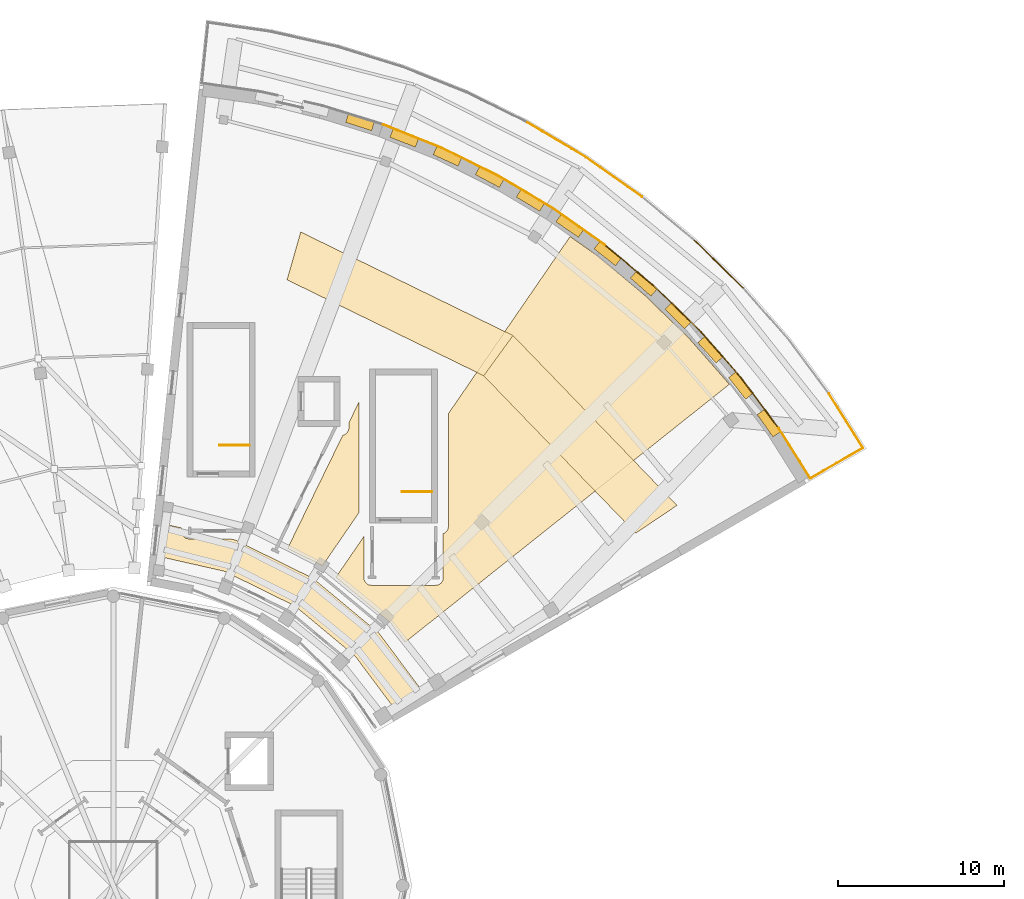
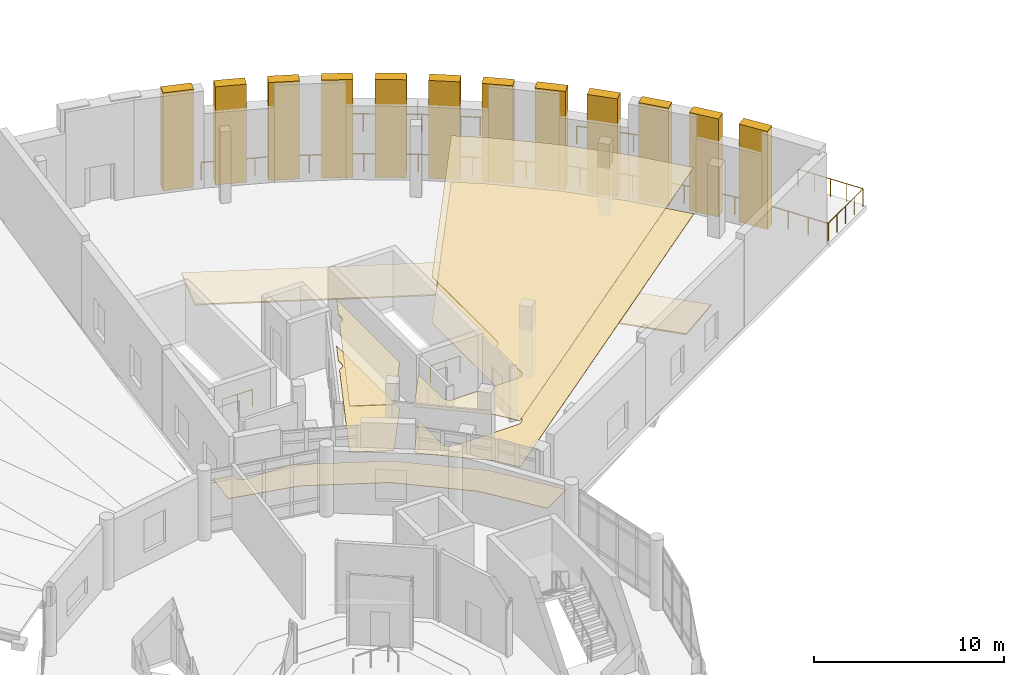
# One storey, part 26 of 27: 19 coverings, 16 railings.
"""IFC4 building model written with IfcOpenShell, lengths in metres."""

import ifcopenshell
import ifcopenshell.guid

model = None  # the IFC model being written
_history = None  # IfcOwnerHistory: only IFC2X3 demands one
_inside = {}  # id of a spatial element -> (the spatial element, [elements in it])
_under = {}  # id of a project, library or spatial element -> (it, [spatial elements below it])
_declared = {}  # id of a project -> (the project, [libraries it declares])
_typed = {}  # id of a type object -> (the type object, [elements of that type])
_made_of = {}  # id of a material, layer set ... -> (it, [elements and type objects made of it])


def new_model(schema):
    """Start an empty IFC model of exactly this schema.

    Asked for "IFC4X3", IfcOpenShell would pick the latest addendum, in which some entities
    have other attributes; the version numbers below select the first issue.
    IFC2X3 requires an IfcOwnerHistory on every rooted entity: one is made here for all.
    """
    global model, _history
    if schema == "IFC4X3":
        model = ifcopenshell.file(schema_version=(4, 3, 0, 0))
    else:
        model = ifcopenshell.file(schema=schema)
    _inside.clear()
    _under.clear()
    _declared.clear()
    _typed.clear()
    _made_of.clear()
    _history = None
    if model.schema == "IFC2X3":
        org = make("IfcOrganization", Name="unknown")
        user = make(
            "IfcPersonAndOrganization",
            ThePerson=make("IfcPerson", FamilyName="unknown"),
            TheOrganization=org,
        )
        app = make(
            "IfcApplication",
            ApplicationDeveloper=org,
            Version="unknown",
            ApplicationFullName="unknown",
            ApplicationIdentifier="unknown",
        )
        _history = make(
            "IfcOwnerHistory",
            OwningUser=user,
            OwningApplication=app,
            ChangeAction="ADDED",
            CreationDate=0,
        )
    return model


def make(cls, **values):
    """One entity of the class cls with the attributes given. An attribute that is None is left unset."""
    return model.create_entity(
        cls, **{name: value for name, value in values.items() if value is not None}
    )


def rooted(cls, **values):
    """An entity with a GlobalId (a new one), such as an element, a storey or a relation."""
    return make(cls, GlobalId=ifcopenshell.guid.new(), OwnerHistory=_history, **values)


def si_unit(unit_type, name, prefix=None):
    """IfcSIUnit, for example si_unit("LENGTHUNIT", "METRE", prefix="MILLI")."""
    return make("IfcSIUnit", UnitType=unit_type, Prefix=prefix, Name=name)


def assignment(units):
    """IfcUnitAssignment: the units of a project."""
    return None if units is None else make("IfcUnitAssignment", Units=units)


def point(xyz):
    """IfcCartesianPoint."""
    return None if xyz is None else make("IfcCartesianPoint", Coordinates=xyz)


def direction(xyz):
    """IfcDirection."""
    return None if xyz is None else make("IfcDirection", DirectionRatios=xyz)


def frame(location, z_axis=None, x_axis=None):
    """IfcAxis2Placement3D, a coordinate frame: its origin and axes. An axis left out is left unset."""
    return make(
        "IfcAxis2Placement3D",
        Location=point(location),
        Axis=direction(z_axis),
        RefDirection=direction(x_axis),
    )


def frame_2d(location, x_axis=None):
    """IfcAxis2Placement2D, a coordinate frame in the plane: its origin and x axis."""
    return make(
        "IfcAxis2Placement2D", Location=point(location), RefDirection=direction(x_axis)
    )


def origin():
    """The frame at (0, 0, 0) with its axes left unset."""
    return frame((0.0, 0.0, 0.0))


def origin_2d():
    """The frame at (0, 0) in the plane with its x axis left unset."""
    return frame_2d((0.0, 0.0))


def place(relative_to, where):
    """IfcLocalPlacement: puts the frame where relative to a parent placement (None: the world)."""
    return make(
        "IfcLocalPlacement", PlacementRelTo=relative_to, RelativePlacement=where
    )


def context(
    kind, dimensions, precision=None, world=None, true_north=None, identifier=None
):
    """IfcGeometricRepresentationContext, for example the 3D "Model" context."""
    return make(
        "IfcGeometricRepresentationContext",
        ContextIdentifier=identifier,
        ContextType=kind,
        CoordinateSpaceDimension=dimensions,
        Precision=precision,
        WorldCoordinateSystem=world,
        TrueNorth=true_north,
    )


def subcontext(parent, identifier, kind, view, scale=None):
    """IfcGeometricRepresentationSubContext, for example "Body" below "Model"."""
    return make(
        "IfcGeometricRepresentationSubContext",
        ContextIdentifier=identifier,
        ContextType=kind,
        ParentContext=parent,
        TargetScale=scale,
        TargetView=view,
    )


def project(units=None, contexts=None):
    """IfcProject with its units and contexts."""
    return rooted(
        "IfcProject",
        Name="project",
        RepresentationContexts=contexts,
        UnitsInContext=assignment(units),
    )


def spatial(cls, under=None, at=None, **own):
    """A site, building, storey or space (cls), placed at a placement, below another one or the project."""
    s = rooted(cls, ObjectPlacement=at, **own)
    if under is not None:
        _under.setdefault(under.id(), (under, []))[1].append(s)
    return s


def polyline(points):
    """IfcPolyline through the points."""
    return make("IfcPolyline", Points=[point(p) for p in points])


def profile(cls, at=None, kind="AREA", **sizes):
    """A parametric profile (cls). Its sizes go by their IFC names, for example OverallWidth=200.0."""
    return make(cls, ProfileType=kind, Position=at, **sizes)


def rectangle(**sizes):
    """IfcRectangleProfileDef."""
    return profile("IfcRectangleProfileDef", **sizes)


def circle(**sizes):
    """IfcCircleProfileDef."""
    return profile("IfcCircleProfileDef", **sizes)


def outline(outer, holes=None, kind="AREA"):
    """IfcArbitraryClosedProfileDef: a profile drawn as a closed curve; with holes, ...WithVoids."""
    if holes is None:
        return make("IfcArbitraryClosedProfileDef", ProfileType=kind, OuterCurve=outer)
    return make(
        "IfcArbitraryProfileDefWithVoids",
        ProfileType=kind,
        OuterCurve=outer,
        InnerCurves=holes,
    )


def extrude(swept, where, along, depth):
    """IfcExtrudedAreaSolid: the profile swept, set in the frame where, extruded along a direction by depth."""
    return make(
        "IfcExtrudedAreaSolid",
        SweptArea=swept,
        Position=where,
        ExtrudedDirection=direction(along),
        Depth=depth,
    )


def shape(context_of_items, identifier, shape_type, items):
    """IfcShapeRepresentation: the items that make up one representation, for example the "Body"."""
    return make(
        "IfcShapeRepresentation",
        ContextOfItems=context_of_items,
        RepresentationIdentifier=identifier,
        RepresentationType=shape_type,
        Items=items,
    )


def material(Name=None, Category=None):
    """IfcMaterial."""
    return make("IfcMaterial", Name=Name, Category=Category)


def layer(
    of_material, thickness, ventilated=None, Name=None, Category=None, Priority=None
):
    """IfcMaterialLayer: one layer of a wall or slab, of a material (None: an air gap)."""
    return make(
        "IfcMaterialLayer",
        Material=of_material,
        LayerThickness=thickness,
        IsVentilated=ventilated,
        Name=Name,
        Category=Category,
        Priority=Priority,
    )


def layer_set(layers, Name=None):
    """IfcMaterialLayerSet."""
    return make("IfcMaterialLayerSet", MaterialLayers=layers, LayerSetName=Name)


def made_of(thing, what):
    """Note that an element or type object is made of a material, layer set ...; save() writes the relation."""
    if what is not None:
        _made_of.setdefault(what.id(), (what, []))[1].append(thing)
    return thing


def type_object(cls, material=None, **own):
    """A type object (cls), such as IfcWallType, which elements share."""
    return made_of(rooted(cls, **own), material)


def element(
    cls,
    number,
    at=None,
    inside=None,
    cuts=None,
    type_object=None,
    material=None,
    context=None,
    identifier="Body",
    shape_type=None,
    held_by="IfcProductDefinitionShape",
    body=None,
    shapes=None,
    **own,
):
    """One element of the class cls, such as IfcWall. Its Tag is "e" and its number.

    at: its placement. inside: the storey or other place that contains it. cuts: it is an
    opening in that element (IfcRelVoidsElement). A single representation is given by context,
    identifier, shape_type and body (its items); several are given by shapes. held_by: the class
    of the entity that holds the representations. save() writes the other relations.
    """
    e = rooted(cls, Tag="e%d" % number, ObjectPlacement=at, **own)
    if body is not None:
        shapes = [shape(context, identifier, shape_type, body)]
    if shapes is not None:
        e.Representation = make(held_by, Representations=shapes)
    if inside is not None:
        _inside.setdefault(inside.id(), (inside, []))[1].append(e)
    if cuts is not None:
        rooted(
            "IfcRelVoidsElement", RelatingBuildingElement=cuts, RelatedOpeningElement=e
        )
    if type_object is not None:
        _typed.setdefault(type_object.id(), (type_object, []))[1].append(e)
    return made_of(e, material)


def aggregate(whole, parts):
    """IfcRelAggregates: a whole, such as a stair, and the parts it consists of."""
    return rooted("IfcRelAggregates", RelatingObject=whole, RelatedObjects=parts)


def save(model, path):
    """Write the relations noted so far, then the file.

    IfcRelAggregates (storeys below a building ...), IfcRelContainedInSpatialStructure (elements
    in a storey), IfcRelDefinesByType, IfcRelAssociatesMaterial and IfcRelDeclares: one each for
    every whole, place, type object, material and project.
    """
    for whole, parts in _under.values():
        aggregate(whole, parts)
    for where, things in _inside.values():
        rooted(
            "IfcRelContainedInSpatialStructure",
            RelatedElements=things,
            RelatingStructure=where,
        )
    for kind, things in _typed.values():
        rooted("IfcRelDefinesByType", RelatedObjects=things, RelatingType=kind)
    for what, things in _made_of.values():
        rooted("IfcRelAssociatesMaterial", RelatedObjects=things, RelatingMaterial=what)
    for by, libraries in _declared.values():
        rooted("IfcRelDeclares", RelatingContext=by, RelatedDefinitions=libraries)
    model.write(path)


model = new_model("IFC4")

# Units and contexts
model_context = context("Model", 3, precision=1e-05, world=origin(), true_north=direction((0.0, 1.0)))
body_context = subcontext(model_context, "Body", "Model", "MODEL_VIEW")
ifc_project = project(units=[si_unit("LENGTHUNIT", "METRE"), si_unit("AREAUNIT", "SQUARE_METRE"), si_unit("VOLUMEUNIT", "CUBIC_METRE"), si_unit("PLANEANGLEUNIT", "RADIAN"), si_unit("MASSUNIT", "GRAM", prefix="KILO")], contexts=[model_context])

# Site, building, storey
site_placement = place(None, origin())
site = spatial("IfcSite", under=ifc_project, at=site_placement, CompositionType="ELEMENT")
building_placement = place(site_placement, origin())
building = spatial("IfcBuilding", under=site, at=building_placement, Name="Soyqirgoq Riverine Aquarium", CompositionType="ELEMENT")
storey_placement = place(building_placement, frame((0.0, 0.0, 19.800048828125)))
storey = spatial("IfcBuildingStorey", under=building, at=storey_placement, Name="L05", CompositionType="ELEMENT", Elevation=19.800048828125)

# Coverings
ifc_material_1 = material(Name="Perforated mineral-fibre acoustic ceiling", Category="gypsum")
ifc_layer_1 = layer(ifc_material_1, 0.050048828125)
ifc_layer_set_1 = layer_set([ifc_layer_1], Name="Perforated mineral-fibre acoustic ceiling")
covering_type_1 = type_object("IfcCoveringType", Name="AcousticBaffleCeiling_50", PredefinedType="CEILING", material=ifc_layer_set_1)
covering_1_placement = place(storey_placement, frame((0.0, 0.0, 2.949951171875)))
element("IfcCovering", 1, at=covering_1_placement, inside=storey, type_object=covering_type_1, Name="Bioinformatics Research Office Suspended Ceiling", PredefinedType="CEILING", context=body_context, shape_type="SweptSolid", body=[
    extrude(outline(polyline([(68.5859375, 76.282958984375), (68.54296875, 76.31494140625), (68.4970703125, 76.341064453125), (66.5029296875, 77.324951171875), (69.8359375, 84.157958984375), (69.837890625, 84.158935546875), (69.881103515625, 84.1689453125), (69.922119140625, 84.18408203125), (69.9619140625, 84.202880859375), (70.0, 84.22607421875), (70.034912109375, 84.251953125), (70.068115234375, 84.281982421875), (70.097900390625, 84.31494140625), (70.1240234375, 84.35009765625), (70.14697265625, 84.387939453125), (70.166015625, 84.427978515625), (70.180908203125, 84.468994140625), (70.19091796875, 84.511962890625), (70.197998046875, 84.555908203125), (70.199951171875, 84.60009765625), (70.199951171875, 84.905029296875), (70.800048828125, 86.135986328125), (70.800048828125, 79.469970703125), (68.60107421875, 76.27099609375), (68.5859375, 76.282958984375)])), origin(), (0.0, 0.0, 1.0), 0.050048828125),
])
ifc_material_2 = material(Name="Seamless slip-resistant marine epoxy flooring", Category="concrete")
ifc_layer_2 = layer(ifc_material_2, 0.02001953125)
ifc_layer_set_2 = layer_set([ifc_layer_2], Name="Seamless slip-resistant marine epoxy flooring")
covering_type_2 = type_object("IfcCoveringType", Name="EpoxyWetFloorFinish_20", PredefinedType="FLOORING", material=ifc_layer_set_2)
covering_2_placement = place(storey_placement, origin())
element("IfcCovering", 2, at=covering_2_placement, inside=storey, type_object=covering_type_2, Name="Marine Genetics Laboratory Floor Finish", PredefinedType="FLOORING", context=body_context, shape_type="SweptSolid", body=[
    extrude(outline(polyline([(71.110107421875, 75.56005859375), (71.112060546875, 75.51611328125), (71.118896484375, 75.471923828125), (71.12890625, 75.428955078125), (71.14404296875, 75.387939453125), (71.1630859375, 75.347900390625), (71.18603515625, 75.31005859375), (71.2119140625, 75.27490234375), (71.241943359375, 75.241943359375), (71.27490234375, 75.2119140625), (71.31005859375, 75.18603515625), (71.347900390625, 75.1630859375), (71.387939453125, 75.14404296875), (71.428955078125, 75.12890625), (71.471923828125, 75.118896484375), (71.51611328125, 75.112060546875), (71.56005859375, 75.110107421875), (75.43994140625, 75.110107421875), (75.48388671875, 75.112060546875), (75.528076171875, 75.118896484375), (75.571044921875, 75.12890625), (75.612060546875, 75.14404296875), (75.652099609375, 75.1630859375), (75.68994140625, 75.18603515625), (75.72509765625, 75.2119140625), (75.758056640625, 75.241943359375), (75.7880859375, 75.27490234375), (75.81396484375, 75.31005859375), (75.8369140625, 75.347900390625), (75.85595703125, 75.387939453125), (75.87109375, 75.428955078125), (75.881103515625, 75.471923828125), (75.887939453125, 75.51611328125), (75.889892578125, 75.56005859375), (75.889892578125, 78.222900390625), (75.922119140625, 78.23388671875), (75.9619140625, 78.2529296875), (76.0, 78.27587890625), (76.034912109375, 78.302001953125), (76.068115234375, 78.33203125), (76.097900390625, 78.364990234375), (76.1240234375, 78.39990234375), (76.14697265625, 78.43798828125), (76.166015625, 78.47802734375), (76.180908203125, 78.51904296875), (76.19091796875, 78.56201171875), (76.197998046875, 78.60595703125), (76.199951171875, 78.64990234375), (76.199951171875, 85.4560546875), (83.544921875, 96.14208984375), (85.158935546875, 95.0009765625), (88.051025390625, 92.595947265625), (90.7451171875, 89.971923828125), (93.15087890625, 87.22802734375), (73.592041015625, 71.6708984375), (72.739990234375, 72.81201171875), (72.7060546875, 72.85302734375), (72.6669921875, 72.888916015625), (69.4189453125, 75.590087890625), (71.110107421875, 78.050048828125), (71.110107421875, 75.56005859375)])), origin(), (0.0, 0.0, 1.0), 0.02001953125),
])
ifc_material_3 = material(Name="Anodised aluminium marine moisture-resistant ceiling", Category="aluminium")
ifc_layer_3 = layer(ifc_material_3, 0.0400390625)
ifc_layer_set_3 = layer_set([ifc_layer_3], Name="Anodised aluminium marine moisture-resistant ceiling")
covering_type_3 = type_object("IfcCoveringType", Name="MoistureCeiling_40", PredefinedType="CEILING", material=ifc_layer_set_3)
covering_3_placement = place(storey_placement, frame((0.0, 0.0, 2.9599609375)))
element("IfcCovering", 3, at=covering_3_placement, inside=storey, type_object=covering_type_3, Name="Marine Genetics Laboratory Suspended Ceiling", PredefinedType="CEILING", context=body_context, shape_type="SweptSolid", body=[
    extrude(outline(polyline([(71.110107421875, 75.56005859375), (71.112060546875, 75.51611328125), (71.118896484375, 75.471923828125), (71.12890625, 75.428955078125), (71.14404296875, 75.387939453125), (71.1630859375, 75.347900390625), (71.18603515625, 75.31005859375), (71.2119140625, 75.27490234375), (71.241943359375, 75.241943359375), (71.27490234375, 75.2119140625), (71.31005859375, 75.18603515625), (71.347900390625, 75.1630859375), (71.387939453125, 75.14404296875), (71.428955078125, 75.12890625), (71.471923828125, 75.118896484375), (71.51611328125, 75.112060546875), (71.56005859375, 75.110107421875), (75.43994140625, 75.110107421875), (75.48388671875, 75.112060546875), (75.528076171875, 75.118896484375), (75.571044921875, 75.12890625), (75.612060546875, 75.14404296875), (75.652099609375, 75.1630859375), (75.68994140625, 75.18603515625), (75.72509765625, 75.2119140625), (75.758056640625, 75.241943359375), (75.7880859375, 75.27490234375), (75.81396484375, 75.31005859375), (75.8369140625, 75.347900390625), (75.85595703125, 75.387939453125), (75.87109375, 75.428955078125), (75.881103515625, 75.471923828125), (75.887939453125, 75.51611328125), (75.889892578125, 75.56005859375), (75.889892578125, 78.222900390625), (75.922119140625, 78.23388671875), (75.9619140625, 78.2529296875), (76.0, 78.27587890625), (76.034912109375, 78.302001953125), (76.068115234375, 78.33203125), (76.097900390625, 78.364990234375), (76.1240234375, 78.39990234375), (76.14697265625, 78.43798828125), (76.166015625, 78.47802734375), (76.180908203125, 78.51904296875), (76.19091796875, 78.56201171875), (76.197998046875, 78.60595703125), (76.199951171875, 78.64990234375), (76.199951171875, 85.4560546875), (83.544921875, 96.14208984375), (85.158935546875, 95.0009765625), (88.051025390625, 92.595947265625), (90.7451171875, 89.971923828125), (93.15087890625, 87.22802734375), (73.592041015625, 71.6708984375), (72.739990234375, 72.81201171875), (72.7060546875, 72.85302734375), (72.6669921875, 72.888916015625), (69.4189453125, 75.590087890625), (71.110107421875, 78.050048828125), (71.110107421875, 75.56005859375)])), origin(), (0.0, 0.0, 1.0), 0.0400390625),
])
ifc_material_4 = material(Name="Perforated anodised aluminium travertine-tone soffit", Category="masonry")
ifc_layer_4 = layer(ifc_material_4, 0.080078125)
ifc_layer_set_4 = layer_set([ifc_layer_4], Name="Perforated anodised aluminium travertine-tone soffit")
covering_type_4 = type_object("IfcCoveringType", Name="PrairieEaveSoffit_80", PredefinedType="CLADDING", material=ifc_layer_set_4)
covering_4_placement = place(storey_placement, frame((0.0, 0.0, -0.360107421875)))
element("IfcCovering", 4, at=covering_4_placement, inside=storey, type_object=covering_type_4, Name="V5 L05 Prairie Eave Travertine Soffit 07", PredefinedType="CLADDING", context=body_context, shape_type="SweptSolid", body=[
    extrude(outline(polyline([(87.50341796875, 78.249267578125), (89.990478515625, 79.927001953125), (80.09912109375, 90.169677734375), (78.335693359375, 87.74267578125), (87.50341796875, 78.249267578125)])), origin(), (0.0, 0.0, 1.0), 0.080078125),
])
covering_5_placement = place(storey_placement, frame((0.0, 0.0, -0.360107421875)))
element("IfcCovering", 5, at=covering_5_placement, inside=storey, type_object=covering_type_4, Name="V5 L05 Prairie Eave Travertine Soffit 08", PredefinedType="CLADDING", context=body_context, shape_type="SweptSolid", body=[
    extrude(outline(polyline([(78.335693359375, 87.74267578125), (80.09912109375, 90.169677734375), (67.301025390625, 96.41162109375), (66.47412109375, 93.52783203125), (78.335693359375, 87.74267578125)])), origin(), (0.0, 0.0, 1.0), 0.080078125),
])

# Railings
ifc_material_5 = material(Name="Painted steel infill stair-well guardrail", Category="steel")
railing_type_1 = type_object("IfcRailingType", Name="StairWellGuard_1120", PredefinedType="GUARDRAIL", material=ifc_material_5)
for number, where, name in (
    (6, (64.199951171875, 83.550048828125, 0.0), "L05 ST-5 top well guard 1"),
    (7, (75.199951171875, 80.75, 0.0), "L05 ST-6 top well guard 1"),
):
    element("IfcRailing", number, at=place(storey_placement, frame(where)), inside=storey, type_object=railing_type_1, Name=name, PredefinedType="GUARDRAIL", context=body_context, shape_type="SweptSolid", body=[
        extrude(circle(Radius=0.02392578125, at=origin_2d()), frame((0.0, 0.0, 1.09619140625), z_axis=(-1.0, 0.0, 0.0), x_axis=(0.0, -1.0, 0.0)), (0.0, 0.0, 1.0), 1.800048828125),
        extrude(circle(Radius=0.02099609375, at=origin_2d()), origin(), (0.0, 0.0, 1.0), 1.072021484375),
        extrude(circle(Radius=0.02099609375, at=origin_2d()), frame((-0.89990234375, 0.0, 0.0)), (0.0, 0.0, 1.0), 1.072021484375),
        extrude(circle(Radius=0.02099609375, at=origin_2d()), frame((-1.800048828125, 0.0, 0.0)), (0.0, 0.0, 1.0), 1.072021484375),
    ])
ifc_material_6 = material(Name="Laminated safety glass and stainless steel balustrade", Category="steel")
railing_type_2 = type_object("IfcRailingType", Name="TerraceGuard_1150", PredefinedType="BALUSTRADE", material=ifc_material_6)
railing_1_placement = place(storey_placement, frame((93.83935546875, 87.6416015625, 0.0)))
element("IfcRailing", 8, at=railing_1_placement, inside=storey, type_object=railing_type_2, Name="V5 L05 Terrace Perimeter Balustrade 059", PredefinedType="BALUSTRADE", context=body_context, shape_type="SweptSolid", body=[
    extrude(circle(Radius=0.02392578125, at=origin_2d()), frame((0.0, 0.0, 1.1259765625), z_axis=(-0.659327013278, 0.751856295819, 0.0), x_axis=(-0.751856295819, -0.659327013278, 0.0)), (0.0, 0.0, 1.0), 3.8232421875),
    extrude(circle(Radius=0.02099609375, at=origin_2d()), origin(), (0.0, 0.0, 1.0), 1.101806640625),
    extrude(circle(Radius=0.02099609375, at=origin_2d()), frame((-0.630126953125, 0.71875, 0.0)), (0.0, 0.0, 1.0), 1.101806640625),
    extrude(circle(Radius=0.02099609375, at=origin_2d()), frame((-1.26025390625, 1.437255859375, 0.0)), (0.0, 0.0, 1.0), 1.101806640625),
    extrude(circle(Radius=0.02099609375, at=origin_2d()), frame((-1.890625, 2.15576171875, 0.0)), (0.0, 0.0, 1.0), 1.101806640625),
    extrude(circle(Radius=0.02099609375, at=origin_2d()), frame((-2.520751953125, 2.87451171875, 0.0)), (0.0, 0.0, 1.0), 1.101806640625),
])
railing_2_placement = place(storey_placement, frame((91.318603515625, 90.51611328125, 0.0)))
element("IfcRailing", 9, at=railing_2_placement, inside=storey, type_object=railing_type_2, Name="V5 L05 Terrace Perimeter Balustrade 060", PredefinedType="BALUSTRADE", context=body_context, shape_type="SweptSolid", body=[
    extrude(circle(Radius=0.02392578125, at=origin_2d()), frame((0.0, 0.0, 1.1259765625), z_axis=(-0.716305697707, 0.697786605942, 0.0), x_axis=(-0.697786605942, -0.716305697707, 0.0)), (0.0, 0.0, 1.0), 3.8232421875),
    extrude(circle(Radius=0.02099609375, at=origin_2d()), origin(), (0.0, 0.0, 1.0), 1.101806640625),
    extrude(circle(Radius=0.02099609375, at=origin_2d()), frame((-0.6845703125, 0.6669921875, 0.0)), (0.0, 0.0, 1.0), 1.101806640625),
    extrude(circle(Radius=0.02099609375, at=origin_2d()), frame((-1.369140625, 1.333984375, 0.0)), (0.0, 0.0, 1.0), 1.101806640625),
    extrude(circle(Radius=0.02099609375, at=origin_2d()), frame((-2.053955078125, 2.000732421875, 0.0)), (0.0, 0.0, 1.0), 1.101806640625),
    extrude(circle(Radius=0.02099609375, at=origin_2d()), frame((-2.738525390625, 2.667724609375, 0.0)), (0.0, 0.0, 1.0), 1.101806640625),
])
railing_3_placement = place(storey_placement, frame((88.580078125, 93.183837890625, 0.0)))
element("IfcRailing", 10, at=railing_3_placement, inside=storey, type_object=railing_type_2, Name="V5 L05 Terrace Perimeter Balustrade 061", PredefinedType="BALUSTRADE", context=body_context, shape_type="SweptSolid", body=[
    extrude(circle(Radius=0.02392578125, at=origin_2d()), frame((0.0, 0.0, 1.1259765625), z_axis=(-0.768859485013, 0.639417776032, 0.0), x_axis=(-0.639417776032, -0.768859485013, 0.0)), (0.0, 0.0, 1.0), 3.8232421875),
    extrude(circle(Radius=0.02099609375, at=origin_2d()), origin(), (0.0, 0.0, 1.0), 1.101806640625),
    extrude(circle(Radius=0.02099609375, at=origin_2d()), frame((-0.73486328125, 0.611083984375, 0.0)), (0.0, 0.0, 1.0), 1.101806640625),
    extrude(circle(Radius=0.02099609375, at=origin_2d()), frame((-1.4697265625, 1.22216796875, 0.0)), (0.0, 0.0, 1.0), 1.101806640625),
    extrude(circle(Radius=0.02099609375, at=origin_2d()), frame((-2.20458984375, 1.83349609375, 0.0)), (0.0, 0.0, 1.0), 1.101806640625),
    extrude(circle(Radius=0.02099609375, at=origin_2d()), frame((-2.939453125, 2.444580078125, 0.0)), (0.0, 0.0, 1.0), 1.101806640625),
])
railing_4_placement = place(storey_placement, frame((85.640625, 95.62841796875, 0.0)))
element("IfcRailing", 11, at=railing_4_placement, inside=storey, type_object=railing_type_2, Name="V5 L05 Terrace Perimeter Balustrade 062", PredefinedType="BALUSTRADE", context=body_context, shape_type="SweptSolid", body=[
    extrude(circle(Radius=0.02392578125, at=origin_2d()), frame((0.0, 0.0, 1.1259765625), z_axis=(-0.816631468081, 0.577159462662, 0.0), x_axis=(-0.577159462662, -0.816631468081, 0.0)), (0.0, 0.0, 1.0), 3.822998046875),
    extrude(circle(Radius=0.02099609375, at=origin_2d()), origin(), (0.0, 0.0, 1.0), 1.101806640625),
    extrude(circle(Radius=0.02099609375, at=origin_2d()), frame((-0.780517578125, 0.5517578125, 0.0)), (0.0, 0.0, 1.0), 1.101806640625),
    extrude(circle(Radius=0.02099609375, at=origin_2d()), frame((-1.56103515625, 1.103271484375, 0.0)), (0.0, 0.0, 1.0), 1.101806640625),
    extrude(circle(Radius=0.02099609375, at=origin_2d()), frame((-2.341552734375, 1.65478515625, 0.0)), (0.0, 0.0, 1.0), 1.101806640625),
    extrude(circle(Radius=0.02099609375, at=origin_2d()), frame((-3.1220703125, 2.20654296875, 0.0)), (0.0, 0.0, 1.0), 1.101806640625),
])
railing_5_placement = place(storey_placement, frame((82.5185546875, 97.8349609375, 0.0)))
element("IfcRailing", 12, at=railing_5_placement, inside=storey, type_object=railing_type_2, Name="V5 L05 Terrace Perimeter Balustrade 063", PredefinedType="BALUSTRADE", context=body_context, shape_type="SweptSolid", body=[
    extrude(circle(Radius=0.02392578125, at=origin_2d()), frame((0.0, 0.0, 1.1259765625), z_axis=(-0.859397113144, 0.511308714887, 0.0), x_axis=(-0.511308714887, -0.859397113144, 0.0)), (0.0, 0.0, 1.0), 3.8232421875),
    extrude(circle(Radius=0.02099609375, at=origin_2d()), origin(), (0.0, 0.0, 1.0), 1.101806640625),
    extrude(circle(Radius=0.02099609375, at=origin_2d()), frame((-0.8212890625, 0.48876953125, 0.0)), (0.0, 0.0, 1.0), 1.101806640625),
    extrude(circle(Radius=0.02099609375, at=origin_2d()), frame((-1.642822265625, 0.9775390625, 0.0)), (0.0, 0.0, 1.0), 1.101806640625),
    extrude(circle(Radius=0.02099609375, at=origin_2d()), frame((-2.46435546875, 1.466064453125, 0.0)), (0.0, 0.0, 1.0), 1.101806640625),
    extrude(circle(Radius=0.02099609375, at=origin_2d()), frame((-3.28564453125, 1.954833984375, 0.0)), (0.0, 0.0, 1.0), 1.101806640625),
])
railing_6_placement = place(storey_placement, frame((79.23291015625, 99.789794921875, 0.0)))
element("IfcRailing", 13, at=railing_6_placement, inside=storey, type_object=railing_type_2, Name="V5 L05 Terrace Perimeter Balustrade 064", PredefinedType="BALUSTRADE", context=body_context, shape_type="SweptSolid", body=[
    extrude(circle(Radius=0.02392578125, at=origin_2d()), frame((0.0, 0.0, 1.1259765625), z_axis=(-0.896866012256, 0.44230233558, 0.0), x_axis=(-0.44230233558, -0.896866012256, 0.0)), (0.0, 0.0, 1.0), 3.822998046875),
    extrude(circle(Radius=0.02099609375, at=origin_2d()), origin(), (0.0, 0.0, 1.0), 1.101806640625),
    extrude(circle(Radius=0.02099609375, at=origin_2d()), frame((-0.857177734375, 0.4228515625, 0.0)), (0.0, 0.0, 1.0), 1.101806640625),
    extrude(circle(Radius=0.02099609375, at=origin_2d()), frame((-1.71435546875, 0.845458984375, 0.0)), (0.0, 0.0, 1.0), 1.101806640625),
    extrude(circle(Radius=0.02099609375, at=origin_2d()), frame((-2.571533203125, 1.26806640625, 0.0)), (0.0, 0.0, 1.0), 1.101806640625),
    extrude(circle(Radius=0.02099609375, at=origin_2d()), frame((-3.4287109375, 1.69091796875, 0.0)), (0.0, 0.0, 1.0), 1.101806640625),
])
railing_7_placement = place(storey_placement, frame((75.80419921875, 101.480712890625, 0.0)))
element("IfcRailing", 14, at=railing_7_placement, inside=storey, type_object=railing_type_2, Name="V5 L05 Terrace Perimeter Balustrade 065", PredefinedType="BALUSTRADE", context=body_context, shape_type="SweptSolid", body=[
    extrude(circle(Radius=0.02392578125, at=origin_2d()), frame((0.0, 0.0, 1.1259765625), z_axis=(-0.928828598393, 0.370509695969, 0.0), x_axis=(-0.370509695969, -0.928828598393, 0.0)), (0.0, 0.0, 1.0), 3.8232421875),
    extrude(circle(Radius=0.02099609375, at=origin_2d()), origin(), (0.0, 0.0, 1.0), 1.101806640625),
    extrude(circle(Radius=0.02099609375, at=origin_2d()), frame((-0.8876953125, 0.35400390625, 0.0)), (0.0, 0.0, 1.0), 1.101806640625),
    extrude(circle(Radius=0.02099609375, at=origin_2d()), frame((-1.775390625, 0.708251953125, 0.0)), (0.0, 0.0, 1.0), 1.101806640625),
    extrude(circle(Radius=0.02099609375, at=origin_2d()), frame((-2.663330078125, 1.0625, 0.0)), (0.0, 0.0, 1.0), 1.101806640625),
    extrude(circle(Radius=0.02099609375, at=origin_2d()), frame((-3.551025390625, 1.41650390625, 0.0)), (0.0, 0.0, 1.0), 1.101806640625),
])
railing_8_placement = place(storey_placement, frame((80.98388671875, 103.014892578125, 0.0)))
element("IfcRailing", 15, at=railing_8_placement, inside=storey, type_object=railing_type_2, Name="V5 L05 Terrace Perimeter Balustrade 076", PredefinedType="BALUSTRADE", context=body_context, shape_type="SweptSolid", body=[
    extrude(circle(Radius=0.02392578125, at=origin_2d()), frame((0.0, 0.0, 1.1259765625), z_axis=(0.859378627232, -0.511339784348, 0.0), x_axis=(0.511339784348, 0.859378627232, 0.0)), (0.0, 0.0, 1.0), 4.111328125),
    extrude(circle(Radius=0.02099609375, at=origin_2d()), origin(), (0.0, 0.0, 1.0), 1.101806640625),
    extrude(circle(Radius=0.02099609375, at=origin_2d()), frame((0.88330078125, -0.525634765625, 0.0)), (0.0, 0.0, 1.0), 1.101806640625),
    extrude(circle(Radius=0.02099609375, at=origin_2d()), frame((1.7666015625, -1.05126953125, 0.0)), (0.0, 0.0, 1.0), 1.101806640625),
    extrude(circle(Radius=0.02099609375, at=origin_2d()), frame((2.64990234375, -1.57666015625, 0.0)), (0.0, 0.0, 1.0), 1.101806640625),
    extrude(circle(Radius=0.02099609375, at=origin_2d()), frame((3.533203125, -2.102294921875, 0.0)), (0.0, 0.0, 1.0), 1.101806640625),
])
railing_9_placement = place(storey_placement, frame((84.51708984375, 100.91259765625, 0.0)))
element("IfcRailing", 16, at=railing_9_placement, inside=storey, type_object=railing_type_2, Name="V5 L05 Terrace Perimeter Balustrade 077", PredefinedType="BALUSTRADE", context=body_context, shape_type="SweptSolid", body=[
    extrude(circle(Radius=0.02392578125, at=origin_2d()), frame((0.0, 0.0, 1.1259765625), z_axis=(0.81666001059, -0.577119075324, 0.0), x_axis=(0.577119075324, 0.81666001059, 0.0)), (0.0, 0.0, 1.0), 4.111572265625),
    extrude(circle(Radius=0.02099609375, at=origin_2d()), origin(), (0.0, 0.0, 1.0), 1.101806640625),
    extrude(circle(Radius=0.02099609375, at=origin_2d()), frame((0.83935546875, -0.59326171875, 0.0)), (0.0, 0.0, 1.0), 1.101806640625),
    extrude(circle(Radius=0.02099609375, at=origin_2d()), frame((1.6787109375, -1.1865234375, 0.0)), (0.0, 0.0, 1.0), 1.101806640625),
    extrude(circle(Radius=0.02099609375, at=origin_2d()), frame((2.518310546875, -1.779541015625, 0.0)), (0.0, 0.0, 1.0), 1.101806640625),
    extrude(circle(Radius=0.02099609375, at=origin_2d()), frame((3.357666015625, -2.372802734375, 0.0)), (0.0, 0.0, 1.0), 1.101806640625),
])
railing_10_placement = place(storey_placement, frame((91.03564453125, 95.910888671875, 0.0)))
element("IfcRailing", 17, at=railing_10_placement, inside=storey, type_object=railing_type_2, Name="V5 L05 Terrace Perimeter Balustrade 079", PredefinedType="BALUSTRADE", context=body_context, shape_type="SweptSolid", body=[
    extrude(circle(Radius=0.02392578125, at=origin_2d()), frame((0.0, 0.0, 1.1259765625), z_axis=(0.716339172805, -0.697752240774, 0.0), x_axis=(0.697752240774, 0.716339172805, 0.0)), (0.0, 0.0, 1.0), 4.111328125),
    extrude(circle(Radius=0.02099609375, at=origin_2d()), origin(), (0.0, 0.0, 1.0), 1.101806640625),
    extrude(circle(Radius=0.02099609375, at=origin_2d()), frame((0.736328125, -0.71728515625, 0.0)), (0.0, 0.0, 1.0), 1.101806640625),
    extrude(circle(Radius=0.02099609375, at=origin_2d()), frame((1.47265625, -1.434326171875, 0.0)), (0.0, 0.0, 1.0), 1.101806640625),
    extrude(circle(Radius=0.02099609375, at=origin_2d()), frame((2.208740234375, -2.1513671875, 0.0)), (0.0, 0.0, 1.0), 1.101806640625),
    extrude(circle(Radius=0.02099609375, at=origin_2d()), frame((2.945068359375, -2.86865234375, 0.0)), (0.0, 0.0, 1.0), 1.101806640625),
])
railing_11_placement = place(storey_placement, frame((99.151123046875, 86.656982421875, 0.0)))
element("IfcRailing", 18, at=railing_11_placement, inside=storey, type_object=railing_type_2, Name="V5 L05 Terrace Perimeter Balustrade 082", PredefinedType="BALUSTRADE", context=body_context, shape_type="SweptSolid", body=[
    extrude(circle(Radius=0.02392578125, at=origin_2d()), frame((0.0, 0.0, 1.1259765625), z_axis=(0.533614672977, -0.845727722606, 0.0), x_axis=(0.845727722606, 0.533614672977, 0.0)), (0.0, 0.0, 1.0), 3.861083984375),
    extrude(circle(Radius=0.02099609375, at=origin_2d()), origin(), (0.0, 0.0, 1.0), 1.101806640625),
    extrude(circle(Radius=0.02099609375, at=origin_2d()), frame((0.51513671875, -0.81640625, 0.0)), (0.0, 0.0, 1.0), 1.101806640625),
    extrude(circle(Radius=0.02099609375, at=origin_2d()), frame((1.0302734375, -1.6328125, 0.0)), (0.0, 0.0, 1.0), 1.101806640625),
    extrude(circle(Radius=0.02099609375, at=origin_2d()), frame((1.545166015625, -2.448974609375, 0.0)), (0.0, 0.0, 1.0), 1.101806640625),
    extrude(circle(Radius=0.02099609375, at=origin_2d()), frame((2.060302734375, -3.265380859375, 0.0)), (0.0, 0.0, 1.0), 1.101806640625),
])
railing_12_placement = place(storey_placement, frame((101.21142578125, 83.3916015625, 0.0)))
element("IfcRailing", 19, at=railing_12_placement, inside=storey, type_object=railing_type_2, Name="V5 L05 Terrace Perimeter Balustrade 083", PredefinedType="BALUSTRADE", context=body_context, shape_type="SweptSolid", body=[
    extrude(circle(Radius=0.02392578125, at=origin_2d()), frame((0.0, 0.0, 1.1259765625), z_axis=(-0.866007209713, -0.500031511731, 0.0), x_axis=(0.500031511731, -0.866007209713, 0.0)), (0.0, 0.0, 1.0), 3.669677734375),
    extrude(circle(Radius=0.02099609375, at=origin_2d()), origin(), (0.0, 0.0, 1.0), 1.101806640625),
    extrude(circle(Radius=0.02099609375, at=origin_2d()), frame((-0.79443359375, -0.458740234375, 0.0)), (0.0, 0.0, 1.0), 1.101806640625),
    extrude(circle(Radius=0.02099609375, at=origin_2d()), frame((-1.5888671875, -0.91748046875, 0.0)), (0.0, 0.0, 1.0), 1.101806640625),
    extrude(circle(Radius=0.02099609375, at=origin_2d()), frame((-2.383544921875, -1.376220703125, 0.0)), (0.0, 0.0, 1.0), 1.101806640625),
    extrude(circle(Radius=0.02099609375, at=origin_2d()), frame((-3.177978515625, -1.8349609375, 0.0)), (0.0, 0.0, 1.0), 1.101806640625),
])
railing_13_placement = place(storey_placement, frame((98.033447265625, 81.556640625, 0.0)))
element("IfcRailing", 20, at=railing_13_placement, inside=storey, type_object=railing_type_2, Name="V5 L05 Terrace Perimeter Balustrade 084", PredefinedType="BALUSTRADE", context=body_context, shape_type="SweptSolid", body=[
    extrude(circle(Radius=0.02392578125, at=origin_2d()), frame((0.0, 0.0, 1.1259765625), z_axis=(-0.533648461325, 0.845706402793, 0.0), x_axis=(-0.845706402793, -0.533648461325, 0.0)), (0.0, 0.0, 1.0), 3.572998046875),
    extrude(circle(Radius=0.02099609375, at=origin_2d()), origin(), (0.0, 0.0, 1.0), 1.101806640625),
    extrude(circle(Radius=0.02099609375, at=origin_2d()), frame((-0.635498046875, 1.00732421875, 0.0)), (0.0, 0.0, 1.0), 1.101806640625),
    extrude(circle(Radius=0.02099609375, at=origin_2d()), frame((-1.271240234375, 2.014404296875, 0.0)), (0.0, 0.0, 1.0), 1.101806640625),
    extrude(circle(Radius=0.02099609375, at=origin_2d()), frame((-1.90673828125, 3.021728515625, 0.0)), (0.0, 0.0, 1.0), 1.101806640625),
])
railing_14_placement = place(storey_placement, frame((96.126708984375, 84.578369140625, 0.0)))
element("IfcRailing", 21, at=railing_14_placement, inside=storey, type_object=railing_type_2, Name="V5 L05 Terrace Perimeter Balustrade 085", PredefinedType="BALUSTRADE", context=body_context, shape_type="SweptSolid", body=[
    extrude(circle(Radius=0.02392578125, at=origin_2d()), frame((0.0, 0.0, 1.1259765625), z_axis=(-0.598312739976, 0.80126266928, 0.0), x_axis=(-0.80126266928, -0.598312739976, 0.0)), (0.0, 0.0, 1.0), 3.822998046875),
    extrude(circle(Radius=0.02099609375, at=origin_2d()), origin(), (0.0, 0.0, 1.0), 1.101806640625),
    extrude(circle(Radius=0.02099609375, at=origin_2d()), frame((-0.57177734375, 0.765869140625, 0.0)), (0.0, 0.0, 1.0), 1.101806640625),
    extrude(circle(Radius=0.02099609375, at=origin_2d()), frame((-1.1435546875, 1.53173828125, 0.0)), (0.0, 0.0, 1.0), 1.101806640625),
    extrude(circle(Radius=0.02099609375, at=origin_2d()), frame((-1.715576171875, 2.29736328125, 0.0)), (0.0, 0.0, 1.0), 1.101806640625),
    extrude(circle(Radius=0.02099609375, at=origin_2d()), frame((-2.287353515625, 3.063232421875, 0.0)), (0.0, 0.0, 1.0), 1.101806640625),
])

# Coverings
ifc_material_7 = material(Name="Polished Chirchiq river-pebble terrazzo flooring", Category="concrete")
ifc_layer_5 = layer(ifc_material_7, 0.030029296875)
ifc_layer_set_5 = layer_set([ifc_layer_5], Name="Polished Chirchiq river-pebble terrazzo flooring")
covering_type_5 = type_object("IfcCoveringType", Name="TerrazzoFloorFinish_30", PredefinedType="FLOORING", material=ifc_layer_set_5)
covering_6_placement = place(storey_placement, origin())
element("IfcCovering", 22, at=covering_6_placement, inside=storey, type_object=covering_type_5, Name="V5 Gallery Circulation Corridor Floor Finish", PredefinedType="FLOORING", context=body_context, shape_type="SweptSolid", body=[
    extrude(outline(polyline([(59.055908203125, 78.806884765625), (60.110107421875, 78.568115234375), (60.110107421875, 78.360107421875), (60.112060546875, 78.31591796875), (60.118896484375, 78.27197265625), (60.12890625, 78.22900390625), (60.14404296875, 78.18798828125), (60.1630859375, 78.14794921875), (60.18603515625, 78.110107421875), (60.2119140625, 78.074951171875), (60.241943359375, 78.0419921875), (60.27490234375, 78.011962890625), (60.31005859375, 77.986083984375), (60.347900390625, 77.962890625), (60.387939453125, 77.944091796875), (60.428955078125, 77.928955078125), (60.471923828125, 77.9189453125), (60.51611328125, 77.912109375), (60.56005859375, 77.909912109375), (63.02001953125, 77.909912109375), (63.3759765625, 77.8291015625), (68.034912109375, 75.531982421875), (72.029052734375, 72.2099609375), (74.678955078125, 68.662109375), (72.951904296875, 67.6650390625), (70.614013671875, 70.794921875), (70.580078125, 70.8359375), (70.541015625, 70.8720703125), (66.989990234375, 73.825927734375), (66.947021484375, 73.85693359375), (66.90087890625, 73.883056640625), (62.758056640625, 75.926025390625), (62.7099609375, 75.947021484375), (62.658935546875, 75.9619140625), (58.847900390625, 76.823974609375), (59.055908203125, 78.806884765625)])), origin(), (0.0, 0.0, 1.0), 0.030029296875),
])
covering_7_placement = place(storey_placement, origin())
element("IfcCovering", 23, at=covering_7_placement, inside=storey, type_object=covering_type_5, Name="Bioinformatics Research Office Floor Finish", PredefinedType="FLOORING", context=body_context, shape_type="SweptSolid", body=[
    extrude(outline(polyline([(68.5859375, 76.282958984375), (68.54296875, 76.31494140625), (68.4970703125, 76.341064453125), (66.5029296875, 77.324951171875), (69.8359375, 84.157958984375), (69.837890625, 84.158935546875), (69.881103515625, 84.1689453125), (69.922119140625, 84.18408203125), (69.9619140625, 84.202880859375), (70.0, 84.22607421875), (70.034912109375, 84.251953125), (70.068115234375, 84.281982421875), (70.097900390625, 84.31494140625), (70.1240234375, 84.35009765625), (70.14697265625, 84.387939453125), (70.166015625, 84.427978515625), (70.180908203125, 84.468994140625), (70.19091796875, 84.511962890625), (70.197998046875, 84.555908203125), (70.199951171875, 84.60009765625), (70.199951171875, 84.905029296875), (70.800048828125, 86.135986328125), (70.800048828125, 79.469970703125), (68.60107421875, 76.27099609375), (68.5859375, 76.282958984375)])), origin(), (0.0, 0.0, 1.0), 0.030029296875),
])
ifc_material_8 = material(Name="Honed Uzbek travertine limestone vertical niche pier", Category="masonry")
covering_type_6 = type_object("IfcCoveringType", Name="TravertineNichePier_550", PredefinedType="CLADDING", material=ifc_material_8)
for number, where, z_axis, x_axis, name in (
    (24, (95.5498046875, 84.8994140625, 0.0), (0.0, 0.0, 1.0), (0.817144898335, 0.57643231617, 0.0), "V5 L05 Travertine Vertical Niche Pier 171"),
    (25, (93.849853515625, 87.165283203125, 0.0), (0.0, 0.0, 1.0), (0.782064612424, 0.623197353969, 0.0), "V5 L05 Travertine Vertical Niche Pier 172"),
    (26, (92.020263671875, 89.327880859375, 0.0), (0.0, 0.0, 1.0), (0.744194976126, 0.66796245217, 0.0), "V5 L05 Travertine Vertical Niche Pier 173"),
    (27, (90.0673828125, 91.3798828125, 0.0), (0.0, 0.0, 1.0), (0.703890763003, 0.710308238555, 0.0), "V5 L05 Travertine Vertical Niche Pier 174"),
    (28, (87.997802734375, 93.31396484375, 0.0), (0.0, 0.0, 1.0), (0.661049986881, 0.750341865315, 0.0), "V5 L05 Travertine Vertical Niche Pier 175"),
    (29, (85.818603515625, 95.123779296875, 0.0), (0.0, 0.0, 1.0), (0.616073992379, 0.787688286008, 0.0), "V5 L05 Travertine Vertical Niche Pier 176"),
    (30, (83.537109375, 96.802978515625, 0.0), (0.0, 0.0, 1.0), (0.568992506345, 0.82234270698, 0.0), "V5 L05 Travertine Vertical Niche Pier 177"),
    (31, (81.161376953125, 98.345703125, 0.0), (0.0, 0.0, 1.0), (0.519817342621, 0.854277431699, 0.0), "V5 L05 Travertine Vertical Niche Pier 178"),
    (32, (78.699462890625, 99.746826171875, 0.0), (0.0, 0.0, 1.0), (0.469009188174, 0.883193286551, 0.0), "V5 L05 Travertine Vertical Niche Pier 179"),
    (33, (76.159912109375, 101.001708984375, 0.0), (0.0, 0.0, 1.0), (0.416598150168, 0.909090744247, 0.0), "V5 L05 Travertine Vertical Niche Pier 180"),
    (34, (73.551025390625, 102.105712890625, 0.0), (0.0, 0.0, 1.0), (0.362600698822, 0.931944597717, 0.0), "V5 L05 Travertine Vertical Niche Pier 181"),
    (35, (70.882080078125, 103.05517578125, 0.0), (0.0, 0.0, 1.0), (0.307522697673, 0.951540745537, 0.0), "V5 L05 Travertine Vertical Niche Pier 182"),
):
    element("IfcCovering", number, at=place(storey_placement, frame(where, z_axis=z_axis, x_axis=x_axis)), inside=storey, type_object=covering_type_6, Name=name, PredefinedType="CLADDING", context=body_context, shape_type="SweptSolid", body=[
        extrude(rectangle(XDim=0.60009765625, YDim=1.64990234375, at=origin_2d()), origin(), (0.0, 0.0, 1.0), 6.300048828125),
    ])

save(model, "model.ifc")
